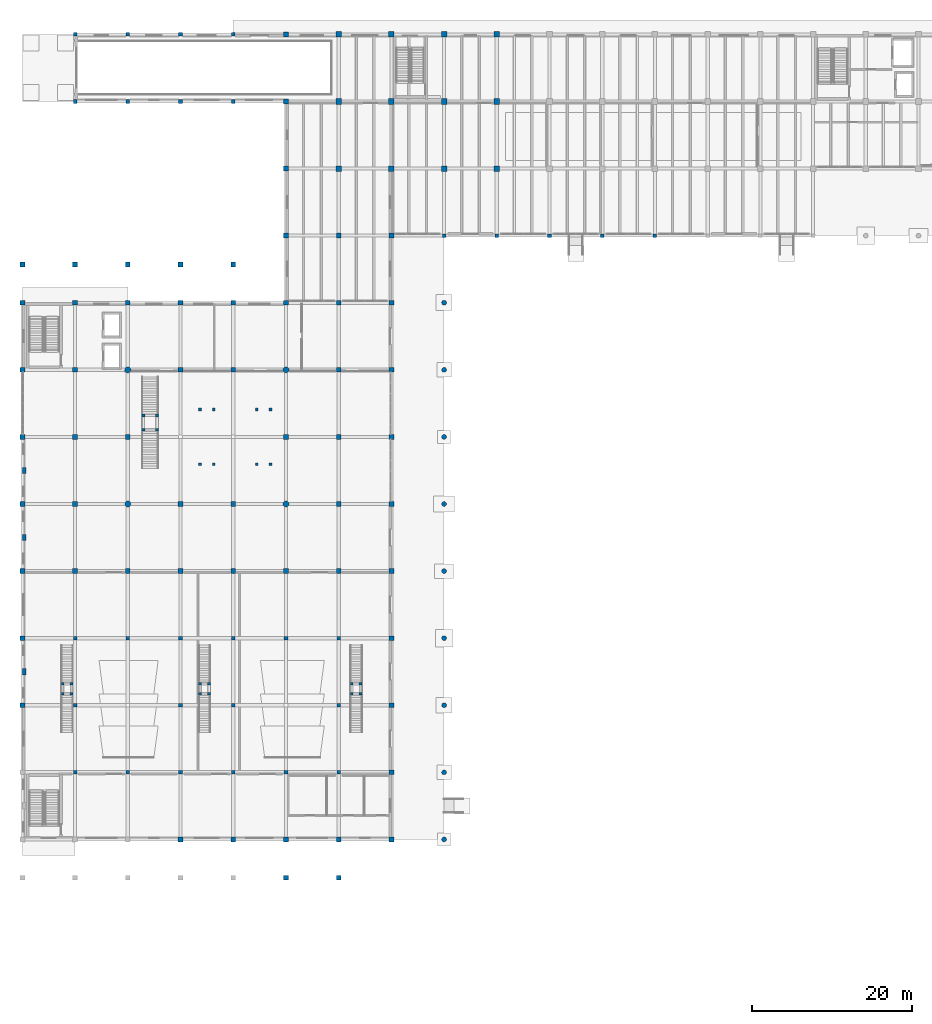
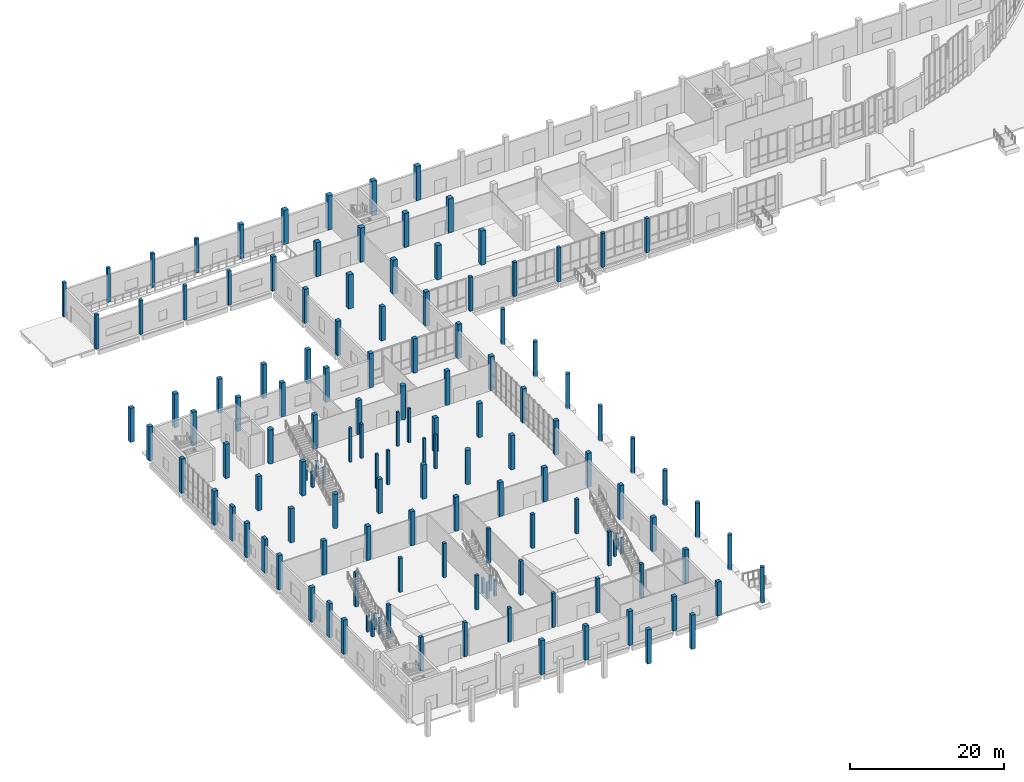
# One storey, part 2 of 64: 138 columns.
"""IFC4 building model written with IfcOpenShell, lengths in metres."""

from ifc_helpers import new_model, si_unit, direction, frame, origin, origin_2d, place, context, subcontext, project, spatial, rectangle, circle, extrude, material, material_profile, profile_set, type_object, element, save


model = new_model("IFC4")

# Units and contexts
model_context = context("Model", 3, precision=1e-05, world=origin(), true_north=direction((0.0, 1.0)))
body_context = subcontext(model_context, "Body", "Model", "MODEL_VIEW")
ifc_project = project(units=[si_unit("LENGTHUNIT", "METRE"), si_unit("AREAUNIT", "SQUARE_METRE"), si_unit("VOLUMEUNIT", "CUBIC_METRE"), si_unit("PLANEANGLEUNIT", "RADIAN"), si_unit("MASSUNIT", "GRAM", prefix="KILO")], contexts=[model_context])

# Site, building, storey
site_placement = place(None, origin())
site = spatial("IfcSite", under=ifc_project, at=site_placement, CompositionType="ELEMENT")
building_placement = place(site_placement, origin())
building = spatial("IfcBuilding", under=site, at=building_placement, Name="Qaldarim Faculty of Natural and Applied Sciences", CompositionType="ELEMENT")
storey_placement = place(building_placement, origin())
storey = spatial("IfcBuildingStorey", under=building, at=storey_placement, Name="L00", CompositionType="ELEMENT", Elevation=0.0)

# Columns
ifc_material_1 = material(Name="Concrete C50/60", Category="concrete")
ifc_material_profile_1 = material_profile(ifc_material_1, circle(Radius=0.375, at=origin_2d()), Name="RC-D750")
ifc_profile_set_1 = profile_set([ifc_material_profile_1], Name="Concrete C50/60")
column_type_1 = type_object("IfcColumnType", Name="AtriumPier-RCD750", PredefinedType="COLUMN", material=ifc_profile_set_1)
for number, where, z_axis, x_axis, name in (
    (1, (13.199951171875, 58.800048828125, 0.0), (0.0, 0.0, 1.0), (1.0, 0.0, 0.0), "Column X03/Y08 L00"),
    (2, (13.199951171875, 75.60009765625, 0.0), (0.0, 0.0, 1.0), (1.0, 0.0, 0.0), "Column X03/Y10 L00"),
    (3, (33.0, 58.800048828125, 0.0), (0.0, 0.0, 1.0), (1.0, 0.0, 0.0), "Column X06/Y08 L00"),
    (4, (33.0, 75.60009765625, 0.0), (0.0, 0.0, 1.0), (1.0, 0.0, 0.0), "Column X06/Y10 L00"),
):
    element("IfcColumn", number, at=place(storey_placement, frame(where, z_axis=z_axis, x_axis=x_axis)), inside=storey, type_object=column_type_1, Name=name, PredefinedType="COLUMN", context=body_context, shape_type="SweptSolid", body=[
        extrude(circle(Radius=0.375, at=origin_2d()), origin(), (0.0, 0.0, 1.0), 5.39990234375),
    ])
ifc_material_2 = material(Name="Concrete C40/50", Category="concrete")
ifc_material_profile_2 = material_profile(ifc_material_2, circle(Radius=0.300048828125, at=origin_2d()), Name="RC-D600")
ifc_profile_set_2 = profile_set([ifc_material_profile_2], Name="Concrete C40/50")
column_type_2 = type_object("IfcColumnType", Name="ColonnadePier-RCD600", PredefinedType="COLUMN", material=ifc_profile_set_2)
for number, where, z_axis, x_axis, name in (
    (5, (52.800048828125, 16.800048828125, -0.199951171875), (0.0, 0.0, 1.0), (1.0, 0.0, 0.0), "Column X09/Y03 L00"),
    (6, (52.800048828125, 25.199951171875, -0.199951171875), (0.0, 0.0, 1.0), (1.0, 0.0, 0.0), "Column X09/Y04 L00"),
    (7, (52.800048828125, 33.60009765625, -0.199951171875), (0.0, 0.0, 1.0), (1.0, 0.0, 0.0), "Column X09/Y05 L00"),
    (8, (52.800048828125, 42.0, -0.199951171875), (0.0, 0.0, 1.0), (1.0, 0.0, 0.0), "Column X09/Y06 L00"),
    (9, (52.800048828125, 50.39990234375, -0.199951171875), (0.0, 0.0, 1.0), (1.0, 0.0, 0.0), "Column X09/Y07 L00"),
    (10, (52.800048828125, 58.800048828125, -0.199951171875), (0.0, 0.0, 1.0), (1.0, 0.0, 0.0), "Column X09/Y08 L00"),
    (11, (52.800048828125, 67.199951171875, -0.199951171875), (0.0, 0.0, 1.0), (1.0, 0.0, 0.0), "Column X09/Y09 L00"),
    (12, (52.800048828125, 75.60009765625, -0.199951171875), (0.0, 0.0, 1.0), (1.0, 0.0, 0.0), "Column X09/Y10 L00"),
    (13, (52.800048828125, 84.0, -0.199951171875), (0.0, 0.0, 1.0), (1.0, 0.0, 0.0), "Column X09/Y11 L00"),
):
    element("IfcColumn", number, at=place(storey_placement, frame(where, z_axis=z_axis, x_axis=x_axis)), inside=storey, type_object=column_type_2, Name=name, PredefinedType="COLUMN", context=body_context, shape_type="SweptSolid", body=[
        extrude(circle(Radius=0.300048828125, at=origin_2d()), origin(), (0.0, 0.0, 1.0), 5.599853515625),
    ])
ifc_material_profile_3 = material_profile(ifc_material_2, rectangle(XDim=0.35009765625, YDim=0.35009765625, at=origin_2d()), Name="RC-C350x350")
ifc_profile_set_3 = profile_set([ifc_material_profile_3], Name="Concrete C40/50")
column_type_3 = type_object("IfcColumnType", Name="Column-RC350x350", PredefinedType="COLUMN", material=ifc_profile_set_3)
for number, where, z_axis, x_axis, name in (
    (14, (15.14990234375, 68.090087890625, 0.0), (0.0, 0.0, 1.0), (1.0, 0.0, 0.0), "Open stair landing post ST-AT1-L00 SW"),
    (15, (16.85009765625, 68.090087890625, 0.0), (0.0, 0.0, 1.0), (1.0, 0.0, 0.0), "Open stair landing post ST-AT1-L00 SE"),
    (16, (16.85009765625, 69.889892578125, 0.0), (0.0, 0.0, 1.0), (1.0, 0.0, 0.0), "Open stair landing post ST-AT1-L00 NE"),
    (17, (15.14990234375, 69.889892578125, 0.0), (0.0, 0.0, 1.0), (1.0, 0.0, 0.0), "Open stair landing post ST-AT1-L00 NW"),
):
    element("IfcColumn", number, at=place(storey_placement, frame(where, z_axis=z_axis, x_axis=x_axis)), inside=storey, type_object=column_type_3, Name=name, PredefinedType="COLUMN", context=body_context, shape_type="SweptSolid", body=[
        extrude(rectangle(XDim=0.35009765625, YDim=0.35009765625, at=origin_2d()), origin(), (0.0, 0.0, 1.0), 2.489990234375),
    ])
for number, where, z_axis, x_axis, name in (
    (18, (22.25, 63.77001953125, 0.0), (0.0, 0.0, 1.0), (1.0, 0.0, 0.0), "Open stair landing column ST-AT1-L01 SW L00"),
    (19, (23.949951171875, 63.77001953125, 0.0), (0.0, 0.0, 1.0), (1.0, 0.0, 0.0), "Open stair landing column ST-AT1-L01 SE L00"),
    (20, (23.949951171875, 70.6298828125, 0.0), (0.0, 0.0, 1.0), (1.0, 0.0, 0.0), "Open stair landing column ST-AT1-L01 NE L00"),
    (21, (22.25, 70.6298828125, 0.0), (0.0, 0.0, 1.0), (1.0, 0.0, 0.0), "Open stair landing column ST-AT1-L01 NW L00"),
    (22, (29.35009765625, 63.77001953125, 0.0), (0.0, 0.0, 1.0), (1.0, 0.0, 0.0), "Open stair landing column ST-AT1-L02 SW L00"),
    (23, (31.050048828125, 63.77001953125, 0.0), (0.0, 0.0, 1.0), (1.0, 0.0, 0.0), "Open stair landing column ST-AT1-L02 SE L00"),
    (24, (31.050048828125, 70.6298828125, 0.0), (0.0, 0.0, 1.0), (1.0, 0.0, 0.0), "Open stair landing column ST-AT1-L02 NE L00"),
    (25, (29.35009765625, 70.6298828125, 0.0), (0.0, 0.0, 1.0), (1.0, 0.0, 0.0), "Open stair landing column ST-AT1-L02 NW L00"),
):
    element("IfcColumn", number, at=place(storey_placement, frame(where, z_axis=z_axis, x_axis=x_axis)), inside=storey, type_object=column_type_3, Name=name, PredefinedType="COLUMN", context=body_context, shape_type="SweptSolid", body=[
        extrude(rectangle(XDim=0.35009765625, YDim=0.35009765625, at=origin_2d()), origin(), (0.0, 0.0, 1.0), 5.39990234375),
    ])
for number, where, z_axis, x_axis, name in (
    (26, (22.25, 35.0400390625, 0.0), (0.0, 0.0, 1.0), (1.0, 0.0, 0.0), "Open stair landing post ST-VM1-L00 SW"),
    (27, (23.35009765625, 35.0400390625, 0.0), (0.0, 0.0, 1.0), (1.0, 0.0, 0.0), "Open stair landing post ST-VM1-L00 SE"),
    (28, (23.35009765625, 36.2900390625, 0.0), (0.0, 0.0, 1.0), (1.0, 0.0, 0.0), "Open stair landing post ST-VM1-L00 NE"),
    (29, (22.25, 36.2900390625, 0.0), (0.0, 0.0, 1.0), (1.0, 0.0, 0.0), "Open stair landing post ST-VM1-L00 NW"),
    (30, (41.25, 35.0400390625, 0.0), (0.0, 0.0, 1.0), (1.0, 0.0, 0.0), "Open stair landing post ST-VM2-L00 SW"),
    (31, (42.35009765625, 35.0400390625, 0.0), (0.0, 0.0, 1.0), (1.0, 0.0, 0.0), "Open stair landing post ST-VM2-L00 SE"),
    (32, (42.35009765625, 36.2900390625, 0.0), (0.0, 0.0, 1.0), (1.0, 0.0, 0.0), "Open stair landing post ST-VM2-L00 NE"),
    (33, (41.25, 36.2900390625, 0.0), (0.0, 0.0, 1.0), (1.0, 0.0, 0.0), "Open stair landing post ST-VM2-L00 NW"),
    (34, (5.050048828125, 35.0400390625, 0.0), (0.0, 0.0, 1.0), (1.0, 0.0, 0.0), "Open stair landing post ST-VM3-L00 SW"),
    (35, (6.14990234375, 35.0400390625, 0.0), (0.0, 0.0, 1.0), (1.0, 0.0, 0.0), "Open stair landing post ST-VM3-L00 SE"),
    (36, (6.14990234375, 36.2900390625, 0.0), (0.0, 0.0, 1.0), (1.0, 0.0, 0.0), "Open stair landing post ST-VM3-L00 NE"),
    (37, (5.050048828125, 36.2900390625, 0.0), (0.0, 0.0, 1.0), (1.0, 0.0, 0.0), "Open stair landing post ST-VM3-L00 NW"),
):
    element("IfcColumn", number, at=place(storey_placement, frame(where, z_axis=z_axis, x_axis=x_axis)), inside=storey, type_object=column_type_3, Name=name, PredefinedType="COLUMN", context=body_context, shape_type="SweptSolid", body=[
        extrude(rectangle(XDim=0.35009765625, YDim=0.35009765625, at=origin_2d()), origin(), (0.0, 0.0, 1.0), 2.489990234375),
    ])
ifc_material_profile_4 = material_profile(ifc_material_2, rectangle(XDim=0.449951171875, YDim=0.449951171875, at=origin_2d()), Name="RC-C450x450")
ifc_profile_set_4 = profile_set([ifc_material_profile_4], Name="Concrete C40/50")
column_type_4 = type_object("IfcColumnType", Name="Column-RC450x450", PredefinedType="COLUMN", material=ifc_profile_set_4)
for number, where, z_axis, x_axis, name in (
    (38, (6.60009765625, 25.199951171875, 0.0), (0.0, 0.0, 1.0), (1.0, 0.0, 0.0), "Column X02/Y04 L00"),
    (39, (6.60009765625, 33.60009765625, 0.0), (0.0, 0.0, 1.0), (1.0, 0.0, 0.0), "Column X02/Y05 L00"),
    (40, (6.60009765625, 42.0, 0.0), (0.0, 0.0, 1.0), (1.0, 0.0, 0.0), "Column X02/Y06 L00"),
    (41, (6.60009765625, 109.199951171875, 0.0), (0.0, 0.0, 1.0), (1.0, 0.0, 0.0), "Column X02/Y14 L00"),
    (42, (6.60009765625, 117.60009765625, 0.0), (0.0, 0.0, 1.0), (1.0, 0.0, 0.0), "Column X02/Y15 L00"),
    (43, (13.199951171875, 25.199951171875, 0.0), (0.0, 0.0, 1.0), (1.0, 0.0, 0.0), "Column X03/Y04 L00"),
    (44, (13.199951171875, 42.0, 0.0), (0.0, 0.0, 1.0), (1.0, 0.0, 0.0), "Column X03/Y06 L00"),
    (45, (13.199951171875, 109.199951171875, 0.0), (0.0, 0.0, 1.0), (1.0, 0.0, 0.0), "Column X03/Y14 L00"),
    (46, (13.199951171875, 117.60009765625, 0.0), (0.0, 0.0, 1.0), (1.0, 0.0, 0.0), "Column X03/Y15 L00"),
    (47, (19.800048828125, 25.199951171875, 0.0), (0.0, 0.0, 1.0), (1.0, 0.0, 0.0), "Column X04/Y04 L00"),
    (48, (19.800048828125, 33.60009765625, 0.0), (0.0, 0.0, 1.0), (1.0, 0.0, 0.0), "Column X04/Y05 L00"),
    (49, (19.800048828125, 42.0, 0.0), (0.0, 0.0, 1.0), (1.0, 0.0, 0.0), "Column X04/Y06 L00"),
    (50, (19.800048828125, 109.199951171875, 0.0), (0.0, 0.0, 1.0), (1.0, 0.0, 0.0), "Column X04/Y14 L00"),
    (51, (19.800048828125, 117.60009765625, 0.0), (0.0, 0.0, 1.0), (1.0, 0.0, 0.0), "Column X04/Y15 L00"),
    (52, (26.39990234375, 25.199951171875, 0.0), (0.0, 0.0, 1.0), (1.0, 0.0, 0.0), "Column X05/Y04 L00"),
    (53, (26.39990234375, 33.60009765625, 0.0), (0.0, 0.0, 1.0), (1.0, 0.0, 0.0), "Column X05/Y05 L00"),
    (54, (26.39990234375, 42.0, 0.0), (0.0, 0.0, 1.0), (1.0, 0.0, 0.0), "Column X05/Y06 L00"),
    (55, (26.39990234375, 109.199951171875, 0.0), (0.0, 0.0, 1.0), (1.0, 0.0, 0.0), "Column X05/Y14 L00"),
    (56, (26.39990234375, 117.60009765625, 0.0), (0.0, 0.0, 1.0), (1.0, 0.0, 0.0), "Column X05/Y15 L00"),
    (57, (33.0, 25.199951171875, 0.0), (0.0, 0.0, 1.0), (1.0, 0.0, 0.0), "Column X06/Y04 L00"),
    (58, (33.0, 42.0, 0.0), (0.0, 0.0, 1.0), (1.0, 0.0, 0.0), "Column X06/Y06 L00"),
    (59, (39.60009765625, 25.199951171875, 0.0), (0.0, 0.0, 1.0), (1.0, 0.0, 0.0), "Column X07/Y04 L00"),
    (60, (39.60009765625, 33.60009765625, 0.0), (0.0, 0.0, 1.0), (1.0, 0.0, 0.0), "Column X07/Y05 L00"),
    (61, (39.60009765625, 42.0, 0.0), (0.0, 0.0, 1.0), (1.0, 0.0, 0.0), "Column X07/Y06 L00"),
    (62, (52.800048828125, 92.39990234375, 0.0), (0.0, 0.0, 1.0), (1.0, 0.0, 0.0), "Column X09/Y12 L00"),
    (63, (59.39990234375, 92.39990234375, 0.0), (0.0, 0.0, 1.0), (1.0, 0.0, 0.0), "Column X10/Y12 L00"),
    (64, (66.0, 92.39990234375, 0.0), (0.0, 0.0, 1.0), (1.0, 0.0, 0.0), "Column X11/Y12 L00"),
    (65, (72.60009765625, 92.39990234375, 0.0), (0.0, 0.0, 1.0), (1.0, 0.0, 0.0), "Column X12/Y12 L00"),
    (66, (79.199951171875, 92.39990234375, 0.0), (0.0, 0.0, 1.0), (1.0, 0.0, 0.0), "Column X13/Y12 L00"),
):
    element("IfcColumn", number, at=place(storey_placement, frame(where, z_axis=z_axis, x_axis=x_axis)), inside=storey, type_object=column_type_4, Name=name, PredefinedType="COLUMN", context=body_context, shape_type="SweptSolid", body=[
        extrude(rectangle(XDim=0.449951171875, YDim=0.449951171875, at=origin_2d()), origin(), (0.0, 0.0, 1.0), 5.39990234375),
    ])
ifc_material_profile_5 = material_profile(ifc_material_1, rectangle(XDim=0.60009765625, YDim=0.60009765625, at=origin_2d()), Name="RC-C600x600")
ifc_profile_set_5 = profile_set([ifc_material_profile_5], Name="Concrete C50/60")
column_type_5 = type_object("IfcColumnType", Name="Column-RC600x600", PredefinedType="COLUMN", material=ifc_profile_set_5)
for number, where, z_axis, x_axis, name in (
    (67, (0.0, 33.60009765625, 0.0), (0.0, 0.0, 1.0), (1.0, 0.0, 0.0), "Column X01/Y05 L00"),
    (68, (0.0, 42.0, 0.0), (0.0, 0.0, 1.0), (1.0, 0.0, 0.0), "Column X01/Y06 L00"),
    (69, (0.0, 50.39990234375, 0.0), (0.0, 0.0, 1.0), (1.0, 0.0, 0.0), "Column X01/Y07 L00"),
    (70, (0.0, 58.800048828125, 0.0), (0.0, 0.0, 1.0), (1.0, 0.0, 0.0), "Column X01/Y08 L00"),
    (71, (0.0, 67.199951171875, 0.0), (0.0, 0.0, 1.0), (1.0, 0.0, 0.0), "Column X01/Y09 L00"),
    (72, (0.0, 75.60009765625, 0.0), (0.0, 0.0, 1.0), (1.0, 0.0, 0.0), "Column X01/Y10 L00"),
    (73, (0.0, 84.0, 0.0), (0.0, 0.0, 1.0), (1.0, 0.0, 0.0), "Column X01/Y11 L00"),
    (74, (6.60009765625, 50.39990234375, 0.0), (0.0, 0.0, 1.0), (1.0, 0.0, 0.0), "Column X02/Y07 L00"),
    (75, (6.60009765625, 58.800048828125, 0.0), (0.0, 0.0, 1.0), (1.0, 0.0, 0.0), "Column X02/Y08 L00"),
    (76, (6.60009765625, 67.199951171875, 0.0), (0.0, 0.0, 1.0), (1.0, 0.0, 0.0), "Column X02/Y09 L00"),
    (77, (6.60009765625, 75.60009765625, 0.0), (0.0, 0.0, 1.0), (1.0, 0.0, 0.0), "Column X02/Y10 L00"),
    (78, (6.60009765625, 84.0, 0.0), (0.0, 0.0, 1.0), (1.0, 0.0, 0.0), "Column X02/Y11 L00"),
    (79, (13.199951171875, 50.39990234375, 0.0), (0.0, 0.0, 1.0), (1.0, 0.0, 0.0), "Column X03/Y07 L00"),
    (80, (13.199951171875, 67.199951171875, 0.0), (0.0, 0.0, 1.0), (1.0, 0.0, 0.0), "Column X03/Y09 L00"),
    (81, (13.199951171875, 84.0, 0.0), (0.0, 0.0, 1.0), (1.0, 0.0, 0.0), "Column X03/Y11 L00"),
    (82, (19.800048828125, 16.800048828125, 0.0), (0.0, 0.0, 1.0), (1.0, 0.0, 0.0), "Column X04/Y03 L00"),
    (83, (19.800048828125, 50.39990234375, 0.0), (0.0, 0.0, 1.0), (1.0, 0.0, 0.0), "Column X04/Y07 L00"),
    (84, (19.800048828125, 58.800048828125, 0.0), (0.0, 0.0, 1.0), (1.0, 0.0, 0.0), "Column X04/Y08 L00"),
    (85, (19.800048828125, 75.60009765625, 0.0), (0.0, 0.0, 1.0), (1.0, 0.0, 0.0), "Column X04/Y10 L00"),
    (86, (19.800048828125, 84.0, 0.0), (0.0, 0.0, 1.0), (1.0, 0.0, 0.0), "Column X04/Y11 L00"),
    (87, (26.39990234375, 16.800048828125, 0.0), (0.0, 0.0, 1.0), (1.0, 0.0, 0.0), "Column X05/Y03 L00"),
    (88, (26.39990234375, 50.39990234375, 0.0), (0.0, 0.0, 1.0), (1.0, 0.0, 0.0), "Column X05/Y07 L00"),
    (89, (26.39990234375, 58.800048828125, 0.0), (0.0, 0.0, 1.0), (1.0, 0.0, 0.0), "Column X05/Y08 L00"),
    (90, (26.39990234375, 75.60009765625, 0.0), (0.0, 0.0, 1.0), (1.0, 0.0, 0.0), "Column X05/Y10 L00"),
    (91, (26.39990234375, 84.0, 0.0), (0.0, 0.0, 1.0), (1.0, 0.0, 0.0), "Column X05/Y11 L00"),
    (92, (33.0, 16.800048828125, 0.0), (0.0, 0.0, 1.0), (1.0, 0.0, 0.0), "Column X06/Y03 L00"),
    (93, (33.0, 50.39990234375, 0.0), (0.0, 0.0, 1.0), (1.0, 0.0, 0.0), "Column X06/Y07 L00"),
    (94, (33.0, 67.199951171875, 0.0), (0.0, 0.0, 1.0), (1.0, 0.0, 0.0), "Column X06/Y09 L00"),
    (95, (33.0, 84.0, 0.0), (0.0, 0.0, 1.0), (1.0, 0.0, 0.0), "Column X06/Y11 L00"),
    (96, (33.0, 92.39990234375, 0.0), (0.0, 0.0, 1.0), (1.0, 0.0, 0.0), "Column X06/Y12 L00"),
    (97, (33.0, 100.800048828125, 0.0), (0.0, 0.0, 1.0), (1.0, 0.0, 0.0), "Column X06/Y13 L00"),
    (98, (33.0, 109.199951171875, 0.0), (0.0, 0.0, 1.0), (1.0, 0.0, 0.0), "Column X06/Y14 L00"),
    (99, (33.0, 117.60009765625, 0.0), (0.0, 0.0, 1.0), (1.0, 0.0, 0.0), "Column X06/Y15 L00"),
    (100, (39.60009765625, 16.800048828125, 0.0), (0.0, 0.0, 1.0), (1.0, 0.0, 0.0), "Column X07/Y03 L00"),
    (101, (39.60009765625, 50.39990234375, 0.0), (0.0, 0.0, 1.0), (1.0, 0.0, 0.0), "Column X07/Y07 L00"),
    (102, (39.60009765625, 58.800048828125, 0.0), (0.0, 0.0, 1.0), (1.0, 0.0, 0.0), "Column X07/Y08 L00"),
    (103, (39.60009765625, 67.199951171875, 0.0), (0.0, 0.0, 1.0), (1.0, 0.0, 0.0), "Column X07/Y09 L00"),
    (104, (39.60009765625, 75.60009765625, 0.0), (0.0, 0.0, 1.0), (1.0, 0.0, 0.0), "Column X07/Y10 L00"),
    (105, (39.60009765625, 84.0, 0.0), (0.0, 0.0, 1.0), (1.0, 0.0, 0.0), "Column X07/Y11 L00"),
    (106, (39.60009765625, 92.39990234375, 0.0), (0.0, 0.0, 1.0), (1.0, 0.0, 0.0), "Column X07/Y12 L00"),
    (107, (46.199951171875, 16.800048828125, 0.0), (0.0, 0.0, 1.0), (1.0, 0.0, 0.0), "Column X08/Y03 L00"),
    (108, (46.199951171875, 25.199951171875, 0.0), (0.0, 0.0, 1.0), (1.0, 0.0, 0.0), "Column X08/Y04 L00"),
    (109, (46.199951171875, 33.60009765625, 0.0), (0.0, 0.0, 1.0), (1.0, 0.0, 0.0), "Column X08/Y05 L00"),
    (110, (46.199951171875, 42.0, 0.0), (0.0, 0.0, 1.0), (1.0, 0.0, 0.0), "Column X08/Y06 L00"),
    (111, (46.199951171875, 50.39990234375, 0.0), (0.0, 0.0, 1.0), (1.0, 0.0, 0.0), "Column X08/Y07 L00"),
    (112, (46.199951171875, 58.800048828125, 0.0), (0.0, 0.0, 1.0), (1.0, 0.0, 0.0), "Column X08/Y08 L00"),
    (113, (46.199951171875, 67.199951171875, 0.0), (0.0, 0.0, 1.0), (1.0, 0.0, 0.0), "Column X08/Y09 L00"),
    (114, (46.199951171875, 75.60009765625, 0.0), (0.0, 0.0, 1.0), (1.0, 0.0, 0.0), "Column X08/Y10 L00"),
    (115, (46.199951171875, 84.0, 0.0), (0.0, 0.0, 1.0), (1.0, 0.0, 0.0), "Column X08/Y11 L00"),
    (116, (46.199951171875, 92.39990234375, 0.0), (0.0, 0.0, 1.0), (1.0, 0.0, 0.0), "Column X08/Y12 L00"),
    (117, (0.0, 88.800048828125, 0.0), (0.0, 0.0, 1.0), (1.0, 0.0, 0.0), "Shell north buttress pier 1 L00"),
    (118, (6.60009765625, 88.800048828125, 0.0), (0.0, 0.0, 1.0), (1.0, 0.0, 0.0), "Shell north buttress pier 2 L00"),
    (119, (13.199951171875, 88.800048828125, 0.0), (0.0, 0.0, 1.0), (1.0, 0.0, 0.0), "Shell north buttress pier 3 L00"),
    (120, (19.800048828125, 88.800048828125, 0.0), (0.0, 0.0, 1.0), (1.0, 0.0, 0.0), "Shell north buttress pier 4 L00"),
    (121, (26.39990234375, 88.800048828125, 0.0), (0.0, 0.0, 1.0), (1.0, 0.0, 0.0), "Shell north buttress pier 5 L00"),
    (122, (33.0, 12.0, 0.0), (0.0, 0.0, 1.0), (1.0, 0.0, 0.0), "Shell south buttress pier 6 L00"),
    (123, (39.60009765625, 12.0, 0.0), (0.0, 0.0, 1.0), (1.0, 0.0, 0.0), "Shell south buttress pier 7 L00"),
):
    element("IfcColumn", number, at=place(storey_placement, frame(where, z_axis=z_axis, x_axis=x_axis)), inside=storey, type_object=column_type_5, Name=name, PredefinedType="COLUMN", context=body_context, shape_type="SweptSolid", body=[
        extrude(rectangle(XDim=0.60009765625, YDim=0.60009765625, at=origin_2d()), origin(), (0.0, 0.0, 1.0), 5.39990234375),
    ])
ifc_material_profile_6 = material_profile(ifc_material_1, rectangle(XDim=0.699951171875, YDim=0.699951171875, at=origin_2d()), Name="RC-C700x700")
ifc_profile_set_6 = profile_set([ifc_material_profile_6], Name="Concrete C50/60")
column_type_6 = type_object("IfcColumnType", Name="Column-RC700x700", PredefinedType="COLUMN", material=ifc_profile_set_6)
for number, where, z_axis, x_axis, name in (
    (124, (39.60009765625, 100.800048828125, 0.0), (0.0, 0.0, 1.0), (1.0, 0.0, 0.0), "Column X07/Y13 L00"),
    (125, (39.60009765625, 109.199951171875, 0.0), (0.0, 0.0, 1.0), (1.0, 0.0, 0.0), "Column X07/Y14 L00"),
    (126, (39.60009765625, 117.60009765625, 0.0), (0.0, 0.0, 1.0), (1.0, 0.0, 0.0), "Column X07/Y15 L00"),
    (127, (46.199951171875, 100.800048828125, 0.0), (0.0, 0.0, 1.0), (1.0, 0.0, 0.0), "Column X08/Y13 L00"),
    (128, (46.199951171875, 109.199951171875, 0.0), (0.0, 0.0, 1.0), (1.0, 0.0, 0.0), "Column X08/Y14 L00"),
    (129, (46.199951171875, 117.60009765625, 0.0), (0.0, 0.0, 1.0), (1.0, 0.0, 0.0), "Column X08/Y15 L00"),
    (130, (52.800048828125, 100.800048828125, 0.0), (0.0, 0.0, 1.0), (1.0, 0.0, 0.0), "Column X09/Y13 L00"),
    (131, (52.800048828125, 109.199951171875, 0.0), (0.0, 0.0, 1.0), (1.0, 0.0, 0.0), "Column X09/Y14 L00"),
    (132, (52.800048828125, 117.60009765625, 0.0), (0.0, 0.0, 1.0), (1.0, 0.0, 0.0), "Column X09/Y15 L00"),
    (133, (59.39990234375, 100.800048828125, 0.0), (0.0, 0.0, 1.0), (1.0, 0.0, 0.0), "Column X10/Y13 L00"),
    (134, (59.39990234375, 109.199951171875, 0.0), (0.0, 0.0, 1.0), (1.0, 0.0, 0.0), "Column X10/Y14 L00"),
    (135, (59.39990234375, 117.60009765625, 0.0), (0.0, 0.0, 1.0), (1.0, 0.0, 0.0), "Column X10/Y15 L00"),
):
    element("IfcColumn", number, at=place(storey_placement, frame(where, z_axis=z_axis, x_axis=x_axis)), inside=storey, type_object=column_type_6, Name=name, PredefinedType="COLUMN", context=body_context, shape_type="SweptSolid", body=[
        extrude(rectangle(XDim=0.699951171875, YDim=0.699951171875, at=origin_2d()), origin(), (0.0, 0.0, 1.0), 5.39990234375),
    ])
ifc_material_profile_7 = material_profile(ifc_material_1, rectangle(XDim=0.449951171875, YDim=0.800048828125, at=origin_2d()), Name="RC-C450x800")
ifc_profile_set_7 = profile_set([ifc_material_profile_7], Name="Concrete C50/60")
column_type_7 = type_object("IfcColumnType", Name="Pilaster-RC450x800", PredefinedType="PILASTER", material=ifc_profile_set_7)
for number, where, z_axis, x_axis, name in (
    (136, (0.22509765625, 37.800048828125, 0.0), (0.0, 0.0, 1.0), (1.0, 0.0, 0.0), "West facade pilaster L00 bay Y05"),
    (137, (0.22509765625, 54.60009765625, 0.0), (0.0, 0.0, 1.0), (1.0, 0.0, 0.0), "West facade pilaster L00 bay Y07"),
    (138, (0.22509765625, 63.0, 0.0), (0.0, 0.0, 1.0), (1.0, 0.0, 0.0), "West facade pilaster L00 bay Y08"),
):
    element("IfcColumn", number, at=place(storey_placement, frame(where, z_axis=z_axis, x_axis=x_axis)), inside=storey, type_object=column_type_7, Name=name, PredefinedType="PILASTER", context=body_context, shape_type="SweptSolid", body=[
        extrude(rectangle(XDim=0.449951171875, YDim=0.800048828125, at=origin_2d()), origin(), (0.0, 0.0, 1.0), 5.39990234375),
    ])

save(model, "model.ifc")
